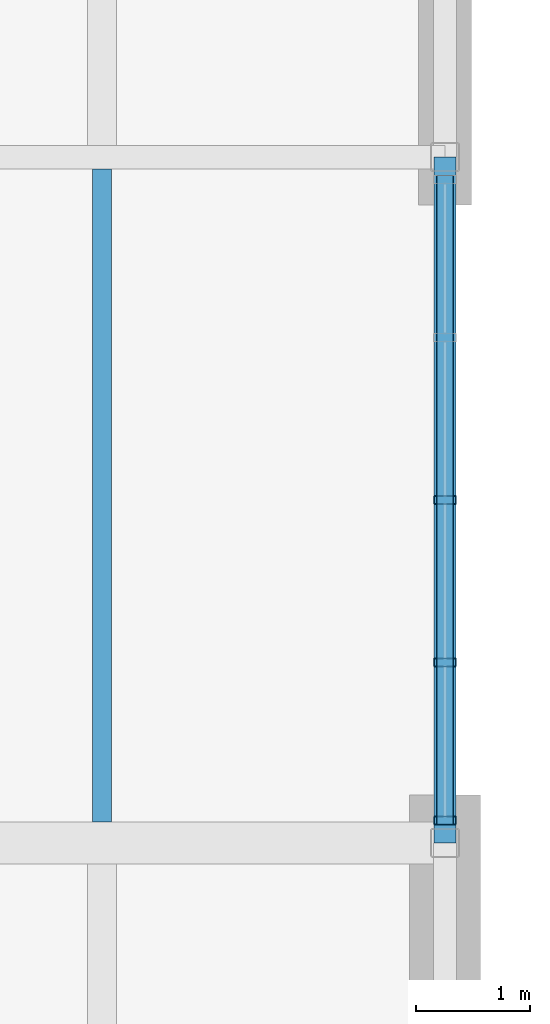
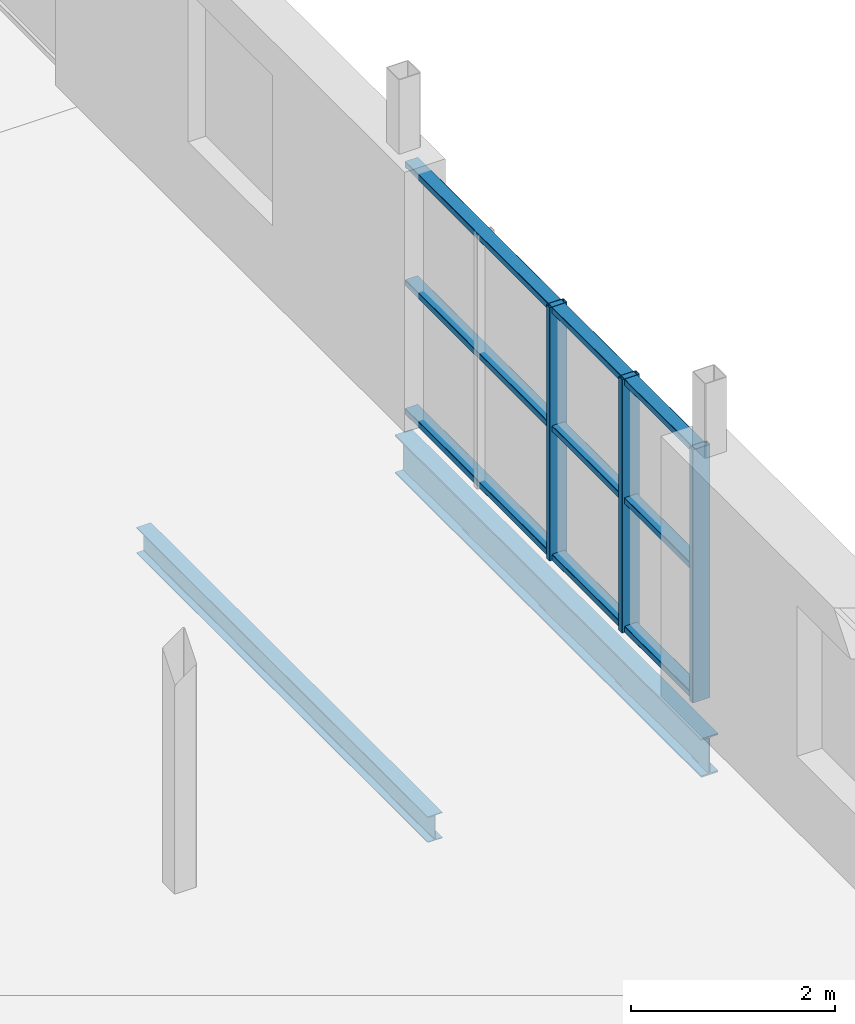
# One storey, part 15 of 35: 6 members, 2 beams, 1 element without a shape of its own.
"""IFC4 building model written with IfcOpenShell, lengths in metres."""

from ifc_helpers import new_model, si_unit, direction, frame, origin, origin_2d, place, context, subcontext, project, spatial, hollow_rectangle, i_section, extrude, material, material_profile, profile_set, type_object, element, aggregate, save


model = new_model("IFC4")

# Units and contexts
model_context = context("Model", 3, precision=1e-05, world=origin(), true_north=direction((0.0, 1.0)))
body_context = subcontext(model_context, "Body", "Model", "MODEL_VIEW")
ifc_project = project(units=[si_unit("LENGTHUNIT", "METRE"), si_unit("AREAUNIT", "SQUARE_METRE"), si_unit("VOLUMEUNIT", "CUBIC_METRE"), si_unit("PLANEANGLEUNIT", "RADIAN"), si_unit("MASSUNIT", "GRAM", prefix="KILO")], contexts=[model_context])

# Site, building, storey
site_placement = place(None, origin())
site = spatial("IfcSite", under=ifc_project, at=site_placement, CompositionType="ELEMENT")
building_placement = place(site_placement, origin())
building = spatial("IfcBuilding", under=site, at=building_placement, Name="Verrall Gate Interchange", CompositionType="ELEMENT")
storey_placement = place(building_placement, frame((0.0, 0.0, 15.39990234375)))
storey = spatial("IfcBuildingStorey", under=building, at=storey_placement, Name="L04", CompositionType="ELEMENT", Elevation=15.39990234375)

# Beam
ifc_material_1 = material(Name="Structural Steel CSA G40.21 350W", Category="steel")
ifc_material_profile_1 = material_profile(ifc_material_1, i_section(OverallWidth=0.19189453125, OverallDepth=0.462890625, WebThickness=0.010498046875, FlangeThickness=0.017578125, FilletRadius=0.012939453125, at=origin_2d()), Name="W460x89")
ifc_profile_set_1 = profile_set([ifc_material_profile_1], Name="Structural Steel CSA G40.21 350W")
beam_type_1 = type_object("IfcBeamType", Name="B-11 Structural Beam W460x89", PredefinedType="BEAM", material=ifc_profile_set_1)
beam_1_placement = place(storey_placement, frame((36.0, 28.0, -0.5615234375), z_axis=(0.0, 1.0, 0.0), x_axis=(-1.0, 0.0, 0.0)))
element("IfcBeam", 1, at=beam_1_placement, inside=storey, type_object=beam_type_1, Name="L04 Girder BM-L04-2715 (B-11)", PredefinedType="BEAM", context=body_context, shape_type="SweptSolid", body=[
    extrude(i_section(OverallWidth=0.19189453125, OverallDepth=0.462890625, WebThickness=0.010498046875, FlangeThickness=0.017578125, FilletRadius=0.012939453125, at=origin_2d()), origin(), (0.0, 0.0, 1.0), 6.0),
])

# Curtain wall, members
ifc_material_2 = material(Name="Thermally Broken Anodized Aluminium Curtain Wall Framing", Category="aluminium")
curtain_wall_type = type_object("IfcCurtainWallType", Name="CW-35 Unitized Curtain Wall 5682x3030", PredefinedType="NOTDEFINED", material=ifc_material_2)
curtain_wall_placement = place(storey_placement, origin())
curtain_wall = element("IfcCurtainWall", 2, at=curtain_wall_placement, inside=storey, type_object=curtain_wall_type, Name="L04 Unitized Curtain Wall CW-L04-129", PredefinedType="NOTDEFINED")
ifc_material_3 = material(Name="Thermally Broken Anodized Aluminium Curtain Wall Framing", Category="aluminium")
ifc_material_profile_2 = material_profile(ifc_material_3, hollow_rectangle(XDim=0.074951171875, YDim=0.199951171875, WallThickness=0.0048828125, InnerFilletRadius=0.0048828125, OuterFilletRadius=0.010009765625, at=origin_2d()), Name="CWM200x75x5")
ifc_profile_set_2 = profile_set([ifc_material_profile_2], Name="Thermally Broken Anodized Aluminium Curtain Wall Framing")
member_type_1 = type_object("IfcMemberType", Name="CM-02 Curtain Mullion CWM200x75x5", PredefinedType="MULLION", material=ifc_profile_set_2)
member_1_placement = place(storey_placement, frame((36.0, 28.196533203125, 0.0), z_axis=(0.0, 0.0, 1.0), x_axis=(0.0, 1.0, 0.0)))
member_1 = element("IfcMember", 3, at=member_1_placement, type_object=member_type_1, Name="CW-L04-129 Mullion 1", PredefinedType="MULLION", context=body_context, shape_type="SweptSolid", body=[
    extrude(hollow_rectangle(XDim=0.074951171875, YDim=0.199951171875, WallThickness=0.0048828125, InnerFilletRadius=0.0048828125, OuterFilletRadius=0.010009765625, at=origin_2d()), origin(), (0.0, 0.0, 1.0), 3.030029296875),
])
member_2_placement = place(storey_placement, frame((36.0, 29.57958984375, 0.0), z_axis=(0.0, 0.0, 1.0), x_axis=(0.0, 1.0, 0.0)))
member_2 = element("IfcMember", 4, at=member_2_placement, type_object=member_type_1, Name="CW-L04-129 Mullion 2", PredefinedType="MULLION", context=body_context, shape_type="SweptSolid", body=[
    extrude(hollow_rectangle(XDim=0.074951171875, YDim=0.199951171875, WallThickness=0.0048828125, InnerFilletRadius=0.0048828125, OuterFilletRadius=0.010009765625, at=origin_2d()), origin(), (0.0, 0.0, 1.0), 3.030029296875),
])
member_3_placement = place(storey_placement, frame((36.0, 31.0, 0.0), z_axis=(0.0, 0.0, 1.0), x_axis=(0.0, 1.0, 0.0)))
member_3 = element("IfcMember", 5, at=member_3_placement, type_object=member_type_1, Name="CW-L04-129 Mullion 3", PredefinedType="MULLION", context=body_context, shape_type="SweptSolid", body=[
    extrude(hollow_rectangle(XDim=0.074951171875, YDim=0.199951171875, WallThickness=0.0048828125, InnerFilletRadius=0.0048828125, OuterFilletRadius=0.010009765625, at=origin_2d()), origin(), (0.0, 0.0, 1.0), 3.030029296875),
])
ifc_material_4 = material(Name="Thermally Broken Anodized Aluminium Curtain Wall Framing", Category="aluminium")
ifc_material_profile_3 = material_profile(ifc_material_4, hollow_rectangle(XDim=0.14990234375, YDim=0.074951171875, WallThickness=0.00439453125, InnerFilletRadius=0.00439453125, OuterFilletRadius=0.009033203125, at=origin_2d()), Name="CWT150x75x4.5")
ifc_profile_set_3 = profile_set([ifc_material_profile_3], Name="Thermally Broken Anodized Aluminium Curtain Wall Framing")
member_type_2 = type_object("IfcMemberType", Name="CT-02 Curtain Transom CWT150x75x4.5", PredefinedType="USERDEFINED", material=ifc_profile_set_3)
member_4_placement = place(storey_placement, frame((36.0, 28.158935546875, 0.03759765625), z_axis=(0.0, 1.0, 0.0), x_axis=(-1.0, 0.0, 0.0)))
member_4 = element("IfcMember", 6, at=member_4_placement, type_object=member_type_2, Name="CW-L04-129 Transom 1", ObjectType="TRANSOM", PredefinedType="USERDEFINED", context=body_context, shape_type="SweptSolid", body=[
    extrude(hollow_rectangle(XDim=0.14990234375, YDim=0.074951171875, WallThickness=0.00439453125, InnerFilletRadius=0.00439453125, OuterFilletRadius=0.009033203125, at=origin_2d()), origin(), (0.0, 0.0, 1.0), 5.68212890625),
])
member_5_placement = place(storey_placement, frame((36.0, 28.158935546875, 1.57568359375), z_axis=(0.0, 1.0, 0.0), x_axis=(-1.0, 0.0, 0.0)))
member_5 = element("IfcMember", 7, at=member_5_placement, type_object=member_type_2, Name="CW-L04-129 Transom 2", ObjectType="TRANSOM", PredefinedType="USERDEFINED", context=body_context, shape_type="SweptSolid", body=[
    extrude(hollow_rectangle(XDim=0.14990234375, YDim=0.074951171875, WallThickness=0.00439453125, InnerFilletRadius=0.00439453125, OuterFilletRadius=0.009033203125, at=origin_2d()), origin(), (0.0, 0.0, 1.0), 5.68212890625),
])
member_6_placement = place(storey_placement, frame((36.0, 28.158935546875, 2.99267578125), z_axis=(0.0, 1.0, 0.0), x_axis=(-1.0, 0.0, 0.0)))
member_6 = element("IfcMember", 8, at=member_6_placement, type_object=member_type_2, Name="CW-L04-129 Transom 3", ObjectType="TRANSOM", PredefinedType="USERDEFINED", context=body_context, shape_type="SweptSolid", body=[
    extrude(hollow_rectangle(XDim=0.14990234375, YDim=0.074951171875, WallThickness=0.00439453125, InnerFilletRadius=0.00439453125, OuterFilletRadius=0.009033203125, at=origin_2d()), origin(), (0.0, 0.0, 1.0), 5.68212890625),
])
aggregate(curtain_wall, [member_1, member_2, member_3, member_4, member_5, member_6])

# Beam
ifc_material_5 = material(Name="Structural Steel CSA G40.21 350W", Category="steel")
ifc_material_profile_4 = material_profile(ifc_material_5, i_section(OverallWidth=0.1650390625, OverallDepth=0.31005859375, WebThickness=0.005859375, FlangeThickness=0.009765625, FilletRadius=0.010009765625, at=origin_2d()), Name="W310x39")
ifc_profile_set_4 = profile_set([ifc_material_profile_4], Name="Structural Steel CSA G40.21 350W")
beam_type_2 = type_object("IfcBeamType", Name="J-04 Floor Joist W310x39", PredefinedType="JOIST", material=ifc_profile_set_4)
beam_2_placement = place(storey_placement, frame((33.0, 28.1845703125, -0.48486328125), z_axis=(0.0, 1.0, 0.0), x_axis=(-1.0, 0.0, 0.0)))
element("IfcBeam", 9, at=beam_2_placement, inside=storey, type_object=beam_type_2, Name="L04 Secondary Floor Joist JST-L04-2804", PredefinedType="JOIST", context=body_context, shape_type="SweptSolid", body=[
    extrude(i_section(OverallWidth=0.1650390625, OverallDepth=0.31005859375, WebThickness=0.005859375, FlangeThickness=0.009765625, FilletRadius=0.010009765625, at=origin_2d()), origin(), (0.0, 0.0, 1.0), 5.712890625),
])

save(model, "model.ifc")
